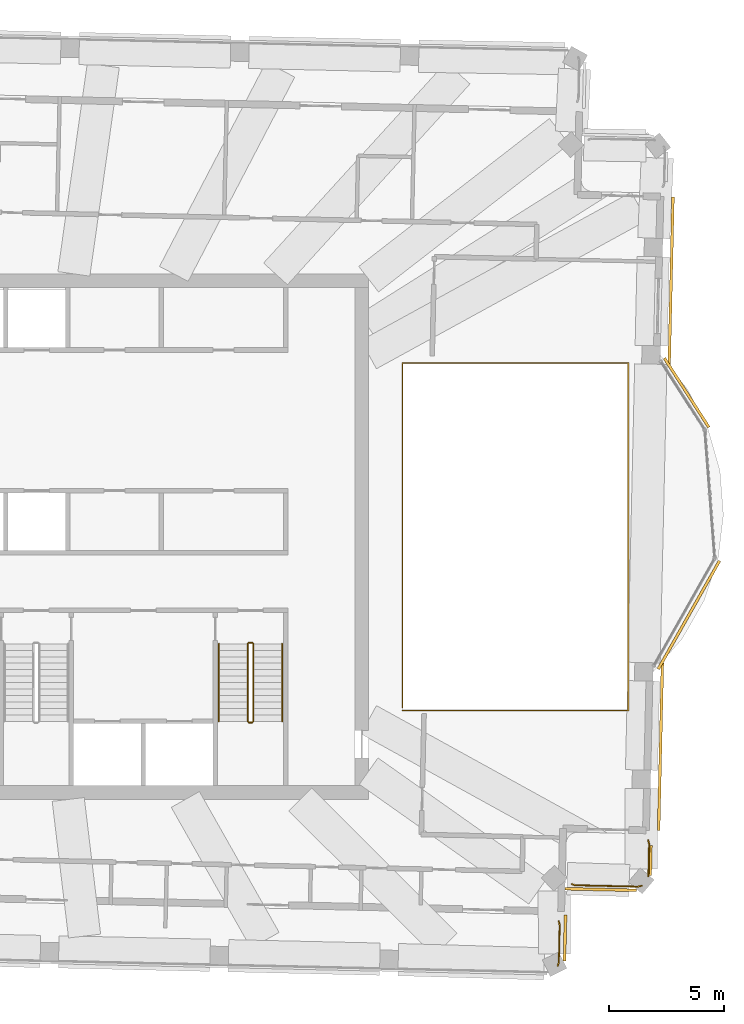
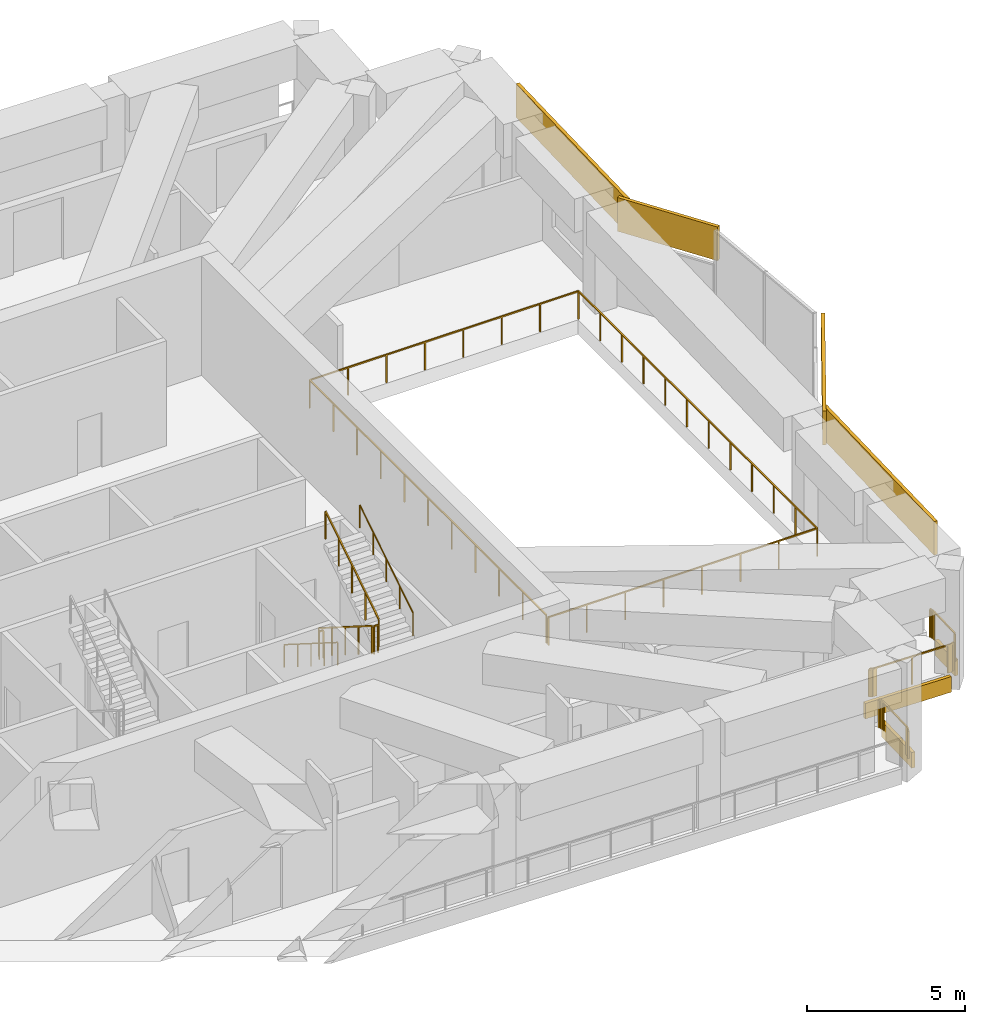
# One storey, part 17 of 19: 10 railings, 7 coverings.
"""IFC4 building model written with IfcOpenShell, lengths in metres."""

import ifcopenshell
import ifcopenshell.guid

model = None  # the IFC model being written
_history = None  # IfcOwnerHistory: only IFC2X3 demands one
_inside = {}  # id of a spatial element -> (the spatial element, [elements in it])
_under = {}  # id of a project, library or spatial element -> (it, [spatial elements below it])
_declared = {}  # id of a project -> (the project, [libraries it declares])
_typed = {}  # id of a type object -> (the type object, [elements of that type])
_made_of = {}  # id of a material, layer set ... -> (it, [elements and type objects made of it])


def new_model(schema):
    """Start an empty IFC model of exactly this schema.

    Asked for "IFC4X3", IfcOpenShell would pick the latest addendum, in which some entities
    have other attributes; the version numbers below select the first issue.
    IFC2X3 requires an IfcOwnerHistory on every rooted entity: one is made here for all.
    """
    global model, _history
    if schema == "IFC4X3":
        model = ifcopenshell.file(schema_version=(4, 3, 0, 0))
    else:
        model = ifcopenshell.file(schema=schema)
    _inside.clear()
    _under.clear()
    _declared.clear()
    _typed.clear()
    _made_of.clear()
    _history = None
    if model.schema == "IFC2X3":
        org = make("IfcOrganization", Name="unknown")
        user = make(
            "IfcPersonAndOrganization",
            ThePerson=make("IfcPerson", FamilyName="unknown"),
            TheOrganization=org,
        )
        app = make(
            "IfcApplication",
            ApplicationDeveloper=org,
            Version="unknown",
            ApplicationFullName="unknown",
            ApplicationIdentifier="unknown",
        )
        _history = make(
            "IfcOwnerHistory",
            OwningUser=user,
            OwningApplication=app,
            ChangeAction="ADDED",
            CreationDate=0,
        )
    return model


def make(cls, **values):
    """One entity of the class cls with the attributes given. An attribute that is None is left unset."""
    return model.create_entity(
        cls, **{name: value for name, value in values.items() if value is not None}
    )


def rooted(cls, **values):
    """An entity with a GlobalId (a new one), such as an element, a storey or a relation."""
    return make(cls, GlobalId=ifcopenshell.guid.new(), OwnerHistory=_history, **values)


def si_unit(unit_type, name, prefix=None):
    """IfcSIUnit, for example si_unit("LENGTHUNIT", "METRE", prefix="MILLI")."""
    return make("IfcSIUnit", UnitType=unit_type, Prefix=prefix, Name=name)


def assignment(units):
    """IfcUnitAssignment: the units of a project."""
    return None if units is None else make("IfcUnitAssignment", Units=units)


def point(xyz):
    """IfcCartesianPoint."""
    return None if xyz is None else make("IfcCartesianPoint", Coordinates=xyz)


def direction(xyz):
    """IfcDirection."""
    return None if xyz is None else make("IfcDirection", DirectionRatios=xyz)


def frame(location, z_axis=None, x_axis=None):
    """IfcAxis2Placement3D, a coordinate frame: its origin and axes. An axis left out is left unset."""
    return make(
        "IfcAxis2Placement3D",
        Location=point(location),
        Axis=direction(z_axis),
        RefDirection=direction(x_axis),
    )


def frame_2d(location, x_axis=None):
    """IfcAxis2Placement2D, a coordinate frame in the plane: its origin and x axis."""
    return make(
        "IfcAxis2Placement2D", Location=point(location), RefDirection=direction(x_axis)
    )


def origin():
    """The frame at (0, 0, 0) with its axes left unset."""
    return frame((0.0, 0.0, 0.0))


def origin_2d():
    """The frame at (0, 0) in the plane with its x axis left unset."""
    return frame_2d((0.0, 0.0))


def place(relative_to, where):
    """IfcLocalPlacement: puts the frame where relative to a parent placement (None: the world)."""
    return make(
        "IfcLocalPlacement", PlacementRelTo=relative_to, RelativePlacement=where
    )


def context(
    kind, dimensions, precision=None, world=None, true_north=None, identifier=None
):
    """IfcGeometricRepresentationContext, for example the 3D "Model" context."""
    return make(
        "IfcGeometricRepresentationContext",
        ContextIdentifier=identifier,
        ContextType=kind,
        CoordinateSpaceDimension=dimensions,
        Precision=precision,
        WorldCoordinateSystem=world,
        TrueNorth=true_north,
    )


def subcontext(parent, identifier, kind, view, scale=None):
    """IfcGeometricRepresentationSubContext, for example "Body" below "Model"."""
    return make(
        "IfcGeometricRepresentationSubContext",
        ContextIdentifier=identifier,
        ContextType=kind,
        ParentContext=parent,
        TargetScale=scale,
        TargetView=view,
    )


def project(units=None, contexts=None):
    """IfcProject with its units and contexts."""
    return rooted(
        "IfcProject",
        Name="project",
        RepresentationContexts=contexts,
        UnitsInContext=assignment(units),
    )


def spatial(cls, under=None, at=None, **own):
    """A site, building, storey or space (cls), placed at a placement, below another one or the project."""
    s = rooted(cls, ObjectPlacement=at, **own)
    if under is not None:
        _under.setdefault(under.id(), (under, []))[1].append(s)
    return s


def profile(cls, at=None, kind="AREA", **sizes):
    """A parametric profile (cls). Its sizes go by their IFC names, for example OverallWidth=200.0."""
    return make(cls, ProfileType=kind, Position=at, **sizes)


def rectangle(**sizes):
    """IfcRectangleProfileDef."""
    return profile("IfcRectangleProfileDef", **sizes)


def circle(**sizes):
    """IfcCircleProfileDef."""
    return profile("IfcCircleProfileDef", **sizes)


def extrude(swept, where, along, depth):
    """IfcExtrudedAreaSolid: the profile swept, set in the frame where, extruded along a direction by depth."""
    return make(
        "IfcExtrudedAreaSolid",
        SweptArea=swept,
        Position=where,
        ExtrudedDirection=direction(along),
        Depth=depth,
    )


def shape(context_of_items, identifier, shape_type, items):
    """IfcShapeRepresentation: the items that make up one representation, for example the "Body"."""
    return make(
        "IfcShapeRepresentation",
        ContextOfItems=context_of_items,
        RepresentationIdentifier=identifier,
        RepresentationType=shape_type,
        Items=items,
    )


def material(Name=None, Category=None):
    """IfcMaterial."""
    return make("IfcMaterial", Name=Name, Category=Category)


def layer(
    of_material, thickness, ventilated=None, Name=None, Category=None, Priority=None
):
    """IfcMaterialLayer: one layer of a wall or slab, of a material (None: an air gap)."""
    return make(
        "IfcMaterialLayer",
        Material=of_material,
        LayerThickness=thickness,
        IsVentilated=ventilated,
        Name=Name,
        Category=Category,
        Priority=Priority,
    )


def layer_set(layers, Name=None):
    """IfcMaterialLayerSet."""
    return make("IfcMaterialLayerSet", MaterialLayers=layers, LayerSetName=Name)


def made_of(thing, what):
    """Note that an element or type object is made of a material, layer set ...; save() writes the relation."""
    if what is not None:
        _made_of.setdefault(what.id(), (what, []))[1].append(thing)
    return thing


def type_object(cls, material=None, **own):
    """A type object (cls), such as IfcWallType, which elements share."""
    return made_of(rooted(cls, **own), material)


def element(
    cls,
    number,
    at=None,
    inside=None,
    cuts=None,
    type_object=None,
    material=None,
    context=None,
    identifier="Body",
    shape_type=None,
    held_by="IfcProductDefinitionShape",
    body=None,
    shapes=None,
    **own,
):
    """One element of the class cls, such as IfcWall. Its Tag is "e" and its number.

    at: its placement. inside: the storey or other place that contains it. cuts: it is an
    opening in that element (IfcRelVoidsElement). A single representation is given by context,
    identifier, shape_type and body (its items); several are given by shapes. held_by: the class
    of the entity that holds the representations. save() writes the other relations.
    """
    e = rooted(cls, Tag="e%d" % number, ObjectPlacement=at, **own)
    if body is not None:
        shapes = [shape(context, identifier, shape_type, body)]
    if shapes is not None:
        e.Representation = make(held_by, Representations=shapes)
    if inside is not None:
        _inside.setdefault(inside.id(), (inside, []))[1].append(e)
    if cuts is not None:
        rooted(
            "IfcRelVoidsElement", RelatingBuildingElement=cuts, RelatedOpeningElement=e
        )
    if type_object is not None:
        _typed.setdefault(type_object.id(), (type_object, []))[1].append(e)
    return made_of(e, material)


def aggregate(whole, parts):
    """IfcRelAggregates: a whole, such as a stair, and the parts it consists of."""
    return rooted("IfcRelAggregates", RelatingObject=whole, RelatedObjects=parts)


def save(model, path):
    """Write the relations noted so far, then the file.

    IfcRelAggregates (storeys below a building ...), IfcRelContainedInSpatialStructure (elements
    in a storey), IfcRelDefinesByType, IfcRelAssociatesMaterial and IfcRelDeclares: one each for
    every whole, place, type object, material and project.
    """
    for whole, parts in _under.values():
        aggregate(whole, parts)
    for where, things in _inside.values():
        rooted(
            "IfcRelContainedInSpatialStructure",
            RelatedElements=things,
            RelatingStructure=where,
        )
    for kind, things in _typed.values():
        rooted("IfcRelDefinesByType", RelatedObjects=things, RelatingType=kind)
    for what, things in _made_of.values():
        rooted("IfcRelAssociatesMaterial", RelatedObjects=things, RelatingMaterial=what)
    for by, libraries in _declared.values():
        rooted("IfcRelDeclares", RelatingContext=by, RelatedDefinitions=libraries)
    model.write(path)


model = new_model("IFC4")

# Units and contexts
model_context = context("Model", 3, precision=1e-05, world=origin(), true_north=direction((0.0, 1.0)))
body_context = subcontext(model_context, "Body", "Model", "MODEL_VIEW")
ifc_project = project(units=[si_unit("LENGTHUNIT", "METRE"), si_unit("AREAUNIT", "SQUARE_METRE"), si_unit("VOLUMEUNIT", "CUBIC_METRE"), si_unit("PLANEANGLEUNIT", "RADIAN"), si_unit("MASSUNIT", "GRAM", prefix="KILO")], contexts=[model_context])

# Site, building, storey
site_placement = place(None, origin())
site = spatial("IfcSite", under=ifc_project, at=site_placement, CompositionType="ELEMENT")
building_placement = place(site_placement, origin())
building = spatial("IfcBuilding", under=site, at=building_placement, Name="Mangrove Gate Tower", CompositionType="ELEMENT")
storey_placement = place(building_placement, frame((0.0, 0.0, 346.10009765625)))
storey = spatial("IfcBuildingStorey", under=building, at=storey_placement, Name="L88", CompositionType="ELEMENT", Elevation=346.10009765625)

# Railings
ifc_material_1 = material(Name="Stainless steel grade 316 with laminated glass infill", Category="steel")
railing_type_1 = type_object("IfcRailingType", Name="Balcony guard 1100", PredefinedType="GUARDRAIL", material=ifc_material_1)
railing_1_placement = place(storey_placement, frame((15.860107421875, -7.5400390625, 0.0)))
element("IfcRailing", 1, at=railing_1_placement, inside=storey, type_object=railing_type_1, Name="GUARD L88 atrium", PredefinedType="GUARDRAIL", context=body_context, shape_type="SweptSolid", body=[
    extrude(rectangle(XDim=0.048095703125, YDim=0.048095703125, at=origin_2d()), frame((0.0, 0.0, 1.076171875), z_axis=(1.0, 0.0, 0.0), x_axis=(0.0, 1.0, 0.0)), (0.0, 0.0, 1.0), 9.802978515625),
    extrude(rectangle(XDim=0.048095703125, YDim=0.048095703125, at=origin_2d()), frame((9.802978515625, 0.0, 1.076171875), z_axis=(0.0, 1.0, 0.0), x_axis=(-1.0, 0.0, 0.0)), (0.0, 0.0, 1.0), 15.080078125),
    extrude(rectangle(XDim=0.048095703125, YDim=0.048095703125, at=origin_2d()), frame((9.802978515625, 15.080078125, 1.076171875), z_axis=(-1.0, 0.0, 0.0), x_axis=(0.0, -1.0, 0.0)), (0.0, 0.0, 1.0), 9.802978515625),
    extrude(rectangle(XDim=0.048095703125, YDim=0.048095703125, at=origin_2d()), frame((0.0, 15.080078125, 1.076171875), z_axis=(0.0, -1.0, 0.0), x_axis=(1.0, 0.0, 0.0)), (0.0, 0.0, 1.0), 14.9599609375),
    extrude(rectangle(XDim=0.0419921875, YDim=0.0419921875, at=origin_2d()), origin(), (0.0, 0.0, 1.0), 1.052001953125),
    extrude(rectangle(XDim=0.0419921875, YDim=0.0419921875, at=origin_2d()), frame((1.400390625, 0.0, 0.0)), (0.0, 0.0, 1.0), 1.052001953125),
    extrude(rectangle(XDim=0.0419921875, YDim=0.0419921875, at=origin_2d()), frame((2.80078125, 0.0, 0.0)), (0.0, 0.0, 1.0), 1.052001953125),
    extrude(rectangle(XDim=0.0419921875, YDim=0.0419921875, at=origin_2d()), frame((4.201171875, 0.0, 0.0)), (0.0, 0.0, 1.0), 1.052001953125),
    extrude(rectangle(XDim=0.0419921875, YDim=0.0419921875, at=origin_2d()), frame((5.601806640625, 0.0, 0.0)), (0.0, 0.0, 1.0), 1.052001953125),
    extrude(rectangle(XDim=0.0419921875, YDim=0.0419921875, at=origin_2d()), frame((7.002197265625, 0.0, 0.0)), (0.0, 0.0, 1.0), 1.052001953125),
    extrude(rectangle(XDim=0.0419921875, YDim=0.0419921875, at=origin_2d()), frame((8.402587890625, 0.0, 0.0)), (0.0, 0.0, 1.0), 1.052001953125),
    extrude(rectangle(XDim=0.0419921875, YDim=0.0419921875, at=origin_2d()), frame((9.802978515625, 0.0, 0.0)), (0.0, 0.0, 1.0), 1.052001953125),
    extrude(rectangle(XDim=0.0419921875, YDim=0.0419921875, at=origin_2d()), frame((9.802978515625, 1.370849609375, 0.0)), (0.0, 0.0, 1.0), 1.052001953125),
    extrude(rectangle(XDim=0.0419921875, YDim=0.0419921875, at=origin_2d()), frame((9.802978515625, 2.741943359375, 0.0)), (0.0, 0.0, 1.0), 1.052001953125),
    extrude(rectangle(XDim=0.0419921875, YDim=0.0419921875, at=origin_2d()), frame((9.802978515625, 4.11279296875, 0.0)), (0.0, 0.0, 1.0), 1.052001953125),
    extrude(rectangle(XDim=0.0419921875, YDim=0.0419921875, at=origin_2d()), frame((9.802978515625, 5.483642578125, 0.0)), (0.0, 0.0, 1.0), 1.052001953125),
    extrude(rectangle(XDim=0.0419921875, YDim=0.0419921875, at=origin_2d()), frame((9.802978515625, 6.8544921875, 0.0)), (0.0, 0.0, 1.0), 1.052001953125),
    extrude(rectangle(XDim=0.0419921875, YDim=0.0419921875, at=origin_2d()), frame((9.802978515625, 8.2255859375, 0.0)), (0.0, 0.0, 1.0), 1.052001953125),
    extrude(rectangle(XDim=0.0419921875, YDim=0.0419921875, at=origin_2d()), frame((9.802978515625, 9.596435546875, 0.0)), (0.0, 0.0, 1.0), 1.052001953125),
    extrude(rectangle(XDim=0.0419921875, YDim=0.0419921875, at=origin_2d()), frame((9.802978515625, 10.96728515625, 0.0)), (0.0, 0.0, 1.0), 1.052001953125),
    extrude(rectangle(XDim=0.0419921875, YDim=0.0419921875, at=origin_2d()), frame((9.802978515625, 12.338134765625, 0.0)), (0.0, 0.0, 1.0), 1.052001953125),
    extrude(rectangle(XDim=0.0419921875, YDim=0.0419921875, at=origin_2d()), frame((9.802978515625, 13.709228515625, 0.0)), (0.0, 0.0, 1.0), 1.052001953125),
    extrude(rectangle(XDim=0.0419921875, YDim=0.0419921875, at=origin_2d()), frame((9.802978515625, 15.080078125, 0.0)), (0.0, 0.0, 1.0), 1.052001953125),
    extrude(rectangle(XDim=0.0419921875, YDim=0.0419921875, at=origin_2d()), frame((8.402587890625, 15.080078125, 0.0)), (0.0, 0.0, 1.0), 1.052001953125),
    extrude(rectangle(XDim=0.0419921875, YDim=0.0419921875, at=origin_2d()), frame((7.002197265625, 15.080078125, 0.0)), (0.0, 0.0, 1.0), 1.052001953125),
    extrude(rectangle(XDim=0.0419921875, YDim=0.0419921875, at=origin_2d()), frame((5.601806640625, 15.080078125, 0.0)), (0.0, 0.0, 1.0), 1.052001953125),
    extrude(rectangle(XDim=0.0419921875, YDim=0.0419921875, at=origin_2d()), frame((4.201171875, 15.080078125, 0.0)), (0.0, 0.0, 1.0), 1.052001953125),
    extrude(rectangle(XDim=0.0419921875, YDim=0.0419921875, at=origin_2d()), frame((2.80078125, 15.080078125, 0.0)), (0.0, 0.0, 1.0), 1.052001953125),
    extrude(rectangle(XDim=0.0419921875, YDim=0.0419921875, at=origin_2d()), frame((1.400390625, 15.080078125, 0.0)), (0.0, 0.0, 1.0), 1.052001953125),
    extrude(rectangle(XDim=0.0419921875, YDim=0.0419921875, at=origin_2d()), frame((0.0, 15.080078125, 0.0)), (0.0, 0.0, 1.0), 1.052001953125),
    extrude(rectangle(XDim=0.0419921875, YDim=0.0419921875, at=origin_2d()), frame((0.0, 13.583984375, 0.0)), (0.0, 0.0, 1.0), 1.052001953125),
    extrude(rectangle(XDim=0.0419921875, YDim=0.0419921875, at=origin_2d()), frame((0.0, 12.088134765625, 0.0)), (0.0, 0.0, 1.0), 1.052001953125),
    extrude(rectangle(XDim=0.0419921875, YDim=0.0419921875, at=origin_2d()), frame((0.0, 10.592041015625, 0.0)), (0.0, 0.0, 1.0), 1.052001953125),
    extrude(rectangle(XDim=0.0419921875, YDim=0.0419921875, at=origin_2d()), frame((0.0, 9.09619140625, 0.0)), (0.0, 0.0, 1.0), 1.052001953125),
    extrude(rectangle(XDim=0.0419921875, YDim=0.0419921875, at=origin_2d()), frame((0.0, 7.60009765625, 0.0)), (0.0, 0.0, 1.0), 1.052001953125),
    extrude(rectangle(XDim=0.0419921875, YDim=0.0419921875, at=origin_2d()), frame((0.0, 6.10400390625, 0.0)), (0.0, 0.0, 1.0), 1.052001953125),
    extrude(rectangle(XDim=0.0419921875, YDim=0.0419921875, at=origin_2d()), frame((0.0, 4.608154296875, 0.0)), (0.0, 0.0, 1.0), 1.052001953125),
    extrude(rectangle(XDim=0.0419921875, YDim=0.0419921875, at=origin_2d()), frame((0.0, 3.112060546875, 0.0)), (0.0, 0.0, 1.0), 1.052001953125),
    extrude(rectangle(XDim=0.0419921875, YDim=0.0419921875, at=origin_2d()), frame((0.0, 1.6162109375, 0.0)), (0.0, 0.0, 1.0), 1.052001953125),
    extrude(rectangle(XDim=0.0419921875, YDim=0.0419921875, at=origin_2d()), frame((0.0, 0.1201171875, 0.0)), (0.0, 0.0, 1.0), 1.052001953125),
])
railing_2_placement = place(storey_placement, frame((26.242919921875, -15.135986328125, 0.0)))
element("IfcRailing", 2, at=railing_2_placement, inside=storey, type_object=railing_type_1, Name="GUARD L88 T2.1", PredefinedType="GUARDRAIL", context=body_context, shape_type="SweptSolid", body=[
    extrude(rectangle(XDim=0.048095703125, YDim=0.048095703125, at=origin_2d()), frame((0.0, 0.0, 1.076171875), z_axis=(-0.920487144923, -0.390772844543, 0.0), x_axis=(0.390772844543, -0.920487144923, 0.0)), (0.0, 0.0, 1.0), 0.028076171875),
    extrude(rectangle(XDim=0.048095703125, YDim=0.048095703125, at=origin_2d()), frame((-0.02587890625, -0.010986328125, 1.076171875), z_axis=(-0.944091748578, -0.329682832837, 0.0), x_axis=(0.329682832837, -0.944091748578, 0.0)), (0.0, 0.0, 1.0), 0.048828125),
    extrude(rectangle(XDim=0.048095703125, YDim=0.048095703125, at=origin_2d()), frame((-0.072021484375, -0.027099609375, 1.076171875), z_axis=(-0.974642013371, -0.223769850009, 0.0), x_axis=(0.223769850009, -0.974642013371, 0.0)), (0.0, 0.0, 1.0), 0.049072265625),
    extrude(rectangle(XDim=0.048095703125, YDim=0.048095703125, at=origin_2d()), frame((-0.119873046875, -0.0380859375, 1.076171875), z_axis=(-0.992946793169, -0.118560811125, 0.0), x_axis=(0.118560811125, -0.992946793169, 0.0)), (0.0, 0.0, 1.0), 0.04931640625),
    extrude(rectangle(XDim=0.048095703125, YDim=0.048095703125, at=origin_2d()), frame((-0.1689453125, -0.0439453125, 1.076171875), z_axis=(-0.999802043895, -0.019896558087, 0.0), x_axis=(0.019896558087, -0.999802043895, 0.0)), (0.0, 0.0, 1.0), 0.049072265625),
    extrude(rectangle(XDim=0.048095703125, YDim=0.048095703125, at=origin_2d()), frame((-0.218017578125, -0.044921875, 1.076171875), z_axis=(-0.999743819631, 0.02263393711, 0.0), x_axis=(-0.02263393711, -0.999743819631, 0.0)), (0.0, 0.0, 1.0), 2.599609375),
    extrude(rectangle(XDim=0.048095703125, YDim=0.048095703125, at=origin_2d()), frame((-2.81689453125, 0.013916015625, 1.076171875), z_axis=(-0.997915006584, 0.064541766595, 0.0), x_axis=(-0.064541766595, -0.997915006584, 0.0)), (0.0, 0.0, 1.0), 0.049072265625),
    extrude(rectangle(XDim=0.048095703125, YDim=0.048095703125, at=origin_2d()), frame((-2.865966796875, 0.01708984375, 1.076171875), z_axis=(-0.983547166232, 0.180651520328, 0.0), x_axis=(-0.180651520328, -0.983547166232, 0.0)), (0.0, 0.0, 1.0), 0.048583984375),
    extrude(rectangle(XDim=0.048095703125, YDim=0.048095703125, at=origin_2d()), frame((-2.913818359375, 0.02587890625, 1.076171875), z_axis=(-0.964424097907, 0.26435990501, 0.0), x_axis=(-0.26435990501, -0.964424097907, 0.0)), (0.0, 0.0, 1.0), 0.0498046875),
    extrude(rectangle(XDim=0.048095703125, YDim=0.048095703125, at=origin_2d()), frame((-2.9619140625, 0.0390625, 1.076171875), z_axis=(-0.938768673644, 0.344548077029, 0.0), x_axis=(-0.344548077029, -0.938768673644, 0.0)), (0.0, 0.0, 1.0), 0.048828125),
    extrude(rectangle(XDim=0.048095703125, YDim=0.048095703125, at=origin_2d()), frame((-3.0078125, 0.055908203125, 1.076171875), z_axis=(-0.877895572914, 0.478852130681, 0.0), x_axis=(-0.478852130681, -0.877895572914, 0.0)), (0.0, 0.0, 1.0), 0.027587890625),
    extrude(rectangle(XDim=0.0419921875, YDim=0.0419921875, at=origin_2d()), origin(), (0.0, 0.0, 1.0), 1.052001953125),
    extrude(rectangle(XDim=0.0419921875, YDim=0.0419921875, at=origin_2d()), frame((-0.02587890625, -0.010986328125, 0.0)), (0.0, 0.0, 1.0), 1.052001953125),
    extrude(rectangle(XDim=0.0419921875, YDim=0.0419921875, at=origin_2d()), frame((-0.072021484375, -0.027099609375, 0.0)), (0.0, 0.0, 1.0), 1.052001953125),
    extrude(rectangle(XDim=0.0419921875, YDim=0.0419921875, at=origin_2d()), frame((-0.119873046875, -0.0380859375, 0.0)), (0.0, 0.0, 1.0), 1.052001953125),
    extrude(rectangle(XDim=0.0419921875, YDim=0.0419921875, at=origin_2d()), frame((-0.1689453125, -0.0439453125, 0.0)), (0.0, 0.0, 1.0), 1.052001953125),
    extrude(rectangle(XDim=0.0419921875, YDim=0.0419921875, at=origin_2d()), frame((-0.218017578125, -0.044921875, 0.0)), (0.0, 0.0, 1.0), 1.052001953125),
    extrude(rectangle(XDim=0.0419921875, YDim=0.0419921875, at=origin_2d()), frame((-1.517578125, -0.015625, 0.0)), (0.0, 0.0, 1.0), 1.052001953125),
    extrude(rectangle(XDim=0.0419921875, YDim=0.0419921875, at=origin_2d()), frame((-2.81689453125, 0.013916015625, 0.0)), (0.0, 0.0, 1.0), 1.052001953125),
    extrude(rectangle(XDim=0.0419921875, YDim=0.0419921875, at=origin_2d()), frame((-2.865966796875, 0.01708984375, 0.0)), (0.0, 0.0, 1.0), 1.052001953125),
    extrude(rectangle(XDim=0.0419921875, YDim=0.0419921875, at=origin_2d()), frame((-2.913818359375, 0.02587890625, 0.0)), (0.0, 0.0, 1.0), 1.052001953125),
    extrude(rectangle(XDim=0.0419921875, YDim=0.0419921875, at=origin_2d()), frame((-2.9619140625, 0.0390625, 0.0)), (0.0, 0.0, 1.0), 1.052001953125),
    extrude(rectangle(XDim=0.0419921875, YDim=0.0419921875, at=origin_2d()), frame((-3.0078125, 0.055908203125, 0.0)), (0.0, 0.0, 1.0), 1.052001953125),
    extrude(rectangle(XDim=0.0419921875, YDim=0.0419921875, at=origin_2d()), frame((-3.031982421875, 0.069091796875, 0.0)), (0.0, 0.0, 1.0), 1.052001953125),
])
railing_3_placement = place(storey_placement, frame((26.52099609375, -13.175048828125, 0.0)))
element("IfcRailing", 3, at=railing_3_placement, inside=storey, type_object=railing_type_1, Name="GUARD L88 T2.2", PredefinedType="GUARDRAIL", context=body_context, shape_type="SweptSolid", body=[
    extrude(rectangle(XDim=0.048095703125, YDim=0.048095703125, at=origin_2d()), frame((0.0, 0.0, 1.076171875), z_axis=(0.390772844543, -0.920487144923, 0.0), x_axis=(0.920487144923, 0.390772844543, 0.0)), (0.0, 0.0, 1.0), 0.028076171875),
    extrude(rectangle(XDim=0.048095703125, YDim=0.048095703125, at=origin_2d()), frame((0.010986328125, -0.02587890625, 1.076171875), z_axis=(0.329682832837, -0.944091748578, 0.0), x_axis=(0.944091748578, 0.329682832837, 0.0)), (0.0, 0.0, 1.0), 0.048828125),
    extrude(rectangle(XDim=0.048095703125, YDim=0.048095703125, at=origin_2d()), frame((0.027099609375, -0.072021484375, 1.076171875), z_axis=(0.223769850009, -0.974642013371, 0.0), x_axis=(0.974642013371, 0.223769850009, 0.0)), (0.0, 0.0, 1.0), 0.049072265625),
    extrude(rectangle(XDim=0.048095703125, YDim=0.048095703125, at=origin_2d()), frame((0.0380859375, -0.119873046875, 1.076171875), z_axis=(0.118560811125, -0.992946793169, 0.0), x_axis=(0.992946793169, 0.118560811125, 0.0)), (0.0, 0.0, 1.0), 0.04931640625),
    extrude(rectangle(XDim=0.048095703125, YDim=0.048095703125, at=origin_2d()), frame((0.0439453125, -0.1689453125, 1.076171875), z_axis=(0.019896558087, -0.999802043895, 0.0), x_axis=(0.999802043895, 0.019896558087, 0.0)), (0.0, 0.0, 1.0), 0.049072265625),
    extrude(rectangle(XDim=0.048095703125, YDim=0.048095703125, at=origin_2d()), frame((0.044921875, -0.218017578125, 1.076171875), z_axis=(-0.023092431946, -0.999733334238, 0.0), x_axis=(0.999733334238, -0.023092431946, 0.0)), (0.0, 0.0, 1.0), 1.30029296875),
    extrude(rectangle(XDim=0.048095703125, YDim=0.048095703125, at=origin_2d()), frame((0.014892578125, -1.51806640625, 1.076171875), z_axis=(-0.06111006328, -0.998131033565, 0.0), x_axis=(0.998131033565, -0.06111006328, 0.0)), (0.0, 0.0, 1.0), 0.0478515625),
    extrude(rectangle(XDim=0.0419921875, YDim=0.0419921875, at=origin_2d()), origin(), (0.0, 0.0, 1.0), 1.052001953125),
    extrude(rectangle(XDim=0.0419921875, YDim=0.0419921875, at=origin_2d()), frame((0.010986328125, -0.02587890625, 0.0)), (0.0, 0.0, 1.0), 1.052001953125),
    extrude(rectangle(XDim=0.0419921875, YDim=0.0419921875, at=origin_2d()), frame((0.027099609375, -0.072021484375, 0.0)), (0.0, 0.0, 1.0), 1.052001953125),
    extrude(rectangle(XDim=0.0419921875, YDim=0.0419921875, at=origin_2d()), frame((0.0380859375, -0.119873046875, 0.0)), (0.0, 0.0, 1.0), 1.052001953125),
    extrude(rectangle(XDim=0.0419921875, YDim=0.0419921875, at=origin_2d()), frame((0.0439453125, -0.1689453125, 0.0)), (0.0, 0.0, 1.0), 1.052001953125),
    extrude(rectangle(XDim=0.0419921875, YDim=0.0419921875, at=origin_2d()), frame((0.044921875, -0.218017578125, 0.0)), (0.0, 0.0, 1.0), 1.052001953125),
    extrude(rectangle(XDim=0.0419921875, YDim=0.0419921875, at=origin_2d()), frame((0.014892578125, -1.51806640625, 0.0)), (0.0, 0.0, 1.0), 1.052001953125),
    extrude(rectangle(XDim=0.0419921875, YDim=0.0419921875, at=origin_2d()), frame((0.011962890625, -1.56591796875, 0.0)), (0.0, 0.0, 1.0), 1.052001953125),
])
railing_4_placement = place(storey_placement, frame((22.639892578125, -16.68798828125, 0.0)))
element("IfcRailing", 4, at=railing_4_placement, inside=storey, type_object=railing_type_1, Name="GUARD L88 T3.5", PredefinedType="GUARDRAIL", context=body_context, shape_type="SweptSolid", body=[
    extrude(rectangle(XDim=0.048095703125, YDim=0.048095703125, at=origin_2d()), frame((0.0, 0.0, 1.076171875), z_axis=(0.423348930736, -0.905966711775, 0.0), x_axis=(0.905966711775, 0.423348930736, 0.0)), (0.0, 0.0, 1.0), 0.02880859375),
    extrude(rectangle(XDim=0.048095703125, YDim=0.048095703125, at=origin_2d()), frame((0.01220703125, -0.026123046875, 1.076171875), z_axis=(0.308628423681, -0.95118268282, 0.0), x_axis=(0.95118268282, 0.308628423681, 0.0)), (0.0, 0.0, 1.0), 0.04833984375),
    extrude(rectangle(XDim=0.048095703125, YDim=0.048095703125, at=origin_2d()), frame((0.027099609375, -0.072021484375, 1.076171875), z_axis=(0.222690428814, -0.974889210585, 0.0), x_axis=(0.974889210585, 0.222690428814, 0.0)), (0.0, 0.0, 1.0), 0.04931640625),
    extrude(rectangle(XDim=0.048095703125, YDim=0.048095703125, at=origin_2d()), frame((0.0380859375, -0.1201171875, 1.076171875), z_axis=(0.124034734589, -0.992277876714, 0.0), x_axis=(0.992277876714, 0.124034734589, 0.0)), (0.0, 0.0, 1.0), 0.04931640625),
    extrude(rectangle(XDim=0.048095703125, YDim=0.048095703125, at=origin_2d()), frame((0.044189453125, -0.1689453125, 1.076171875), z_axis=(0.019896558087, -0.999802043895, 0.0), x_axis=(0.999802043895, 0.019896558087, 0.0)), (0.0, 0.0, 1.0), 0.049072265625),
    extrude(rectangle(XDim=0.048095703125, YDim=0.048095703125, at=origin_2d()), frame((0.045166015625, -0.218017578125, 1.076171875), z_axis=(-0.02279537805, -0.999740151609, 0.0), x_axis=(0.999740151609, -0.02279537805, 0.0)), (0.0, 0.0, 1.0), 1.49951171875),
    extrude(rectangle(XDim=0.048095703125, YDim=0.048095703125, at=origin_2d()), frame((0.010986328125, -1.717041015625, 1.076171875), z_axis=(-0.059595380047, -0.998222615791, 0.0), x_axis=(0.998222615791, -0.059595380047, 0.0)), (0.0, 0.0, 1.0), 0.049072265625),
    extrude(rectangle(XDim=0.048095703125, YDim=0.048095703125, at=origin_2d()), frame((0.008056640625, -1.76611328125, 1.076171875), z_axis=(-0.181913199611, -0.983314592492, 0.0), x_axis=(0.983314592492, -0.181913199611, 0.0)), (0.0, 0.0, 1.0), 0.049560546875),
    extrude(rectangle(XDim=0.048095703125, YDim=0.048095703125, at=origin_2d()), frame((-0.0009765625, -1.81494140625, 1.076171875), z_axis=(-0.264808083684, -0.964301134924, 0.0), x_axis=(0.964301134924, -0.264808083684, 0.0)), (0.0, 0.0, 1.0), 0.048828125),
    extrude(rectangle(XDim=0.048095703125, YDim=0.048095703125, at=origin_2d()), frame((-0.013916015625, -1.862060546875, 1.076171875), z_axis=(-0.348937359118, -0.937146050203, 0.0), x_axis=(0.937146050203, -0.348937359118, 0.0)), (0.0, 0.0, 1.0), 0.049072265625),
    extrude(rectangle(XDim=0.048095703125, YDim=0.048095703125, at=origin_2d()), frame((-0.031005859375, -1.907958984375, 1.076171875), z_axis=(-0.457543063646, -0.889187463311, 0.0), x_axis=(0.889187463311, -0.457543063646, 0.0)), (0.0, 0.0, 1.0), 0.0283203125),
    extrude(rectangle(XDim=0.0419921875, YDim=0.0419921875, at=origin_2d()), origin(), (0.0, 0.0, 1.0), 1.052001953125),
    extrude(rectangle(XDim=0.0419921875, YDim=0.0419921875, at=origin_2d()), frame((0.01220703125, -0.026123046875, 0.0)), (0.0, 0.0, 1.0), 1.052001953125),
    extrude(rectangle(XDim=0.0419921875, YDim=0.0419921875, at=origin_2d()), frame((0.027099609375, -0.072021484375, 0.0)), (0.0, 0.0, 1.0), 1.052001953125),
    extrude(rectangle(XDim=0.0419921875, YDim=0.0419921875, at=origin_2d()), frame((0.0380859375, -0.1201171875, 0.0)), (0.0, 0.0, 1.0), 1.052001953125),
    extrude(rectangle(XDim=0.0419921875, YDim=0.0419921875, at=origin_2d()), frame((0.044189453125, -0.1689453125, 0.0)), (0.0, 0.0, 1.0), 1.052001953125),
    extrude(rectangle(XDim=0.0419921875, YDim=0.0419921875, at=origin_2d()), frame((0.045166015625, -0.218017578125, 0.0)), (0.0, 0.0, 1.0), 1.052001953125),
    extrude(rectangle(XDim=0.0419921875, YDim=0.0419921875, at=origin_2d()), frame((0.010986328125, -1.717041015625, 0.0)), (0.0, 0.0, 1.0), 1.052001953125),
    extrude(rectangle(XDim=0.0419921875, YDim=0.0419921875, at=origin_2d()), frame((0.008056640625, -1.76611328125, 0.0)), (0.0, 0.0, 1.0), 1.052001953125),
    extrude(rectangle(XDim=0.0419921875, YDim=0.0419921875, at=origin_2d()), frame((-0.0009765625, -1.81494140625, 0.0)), (0.0, 0.0, 1.0), 1.052001953125),
    extrude(rectangle(XDim=0.0419921875, YDim=0.0419921875, at=origin_2d()), frame((-0.013916015625, -1.862060546875, 0.0)), (0.0, 0.0, 1.0), 1.052001953125),
    extrude(rectangle(XDim=0.0419921875, YDim=0.0419921875, at=origin_2d()), frame((-0.031005859375, -1.907958984375, 0.0)), (0.0, 0.0, 1.0), 1.052001953125),
    extrude(rectangle(XDim=0.0419921875, YDim=0.0419921875, at=origin_2d()), frame((-0.0439453125, -1.93310546875, 0.0)), (0.0, 0.0, 1.0), 1.052001953125),
])
ifc_material_2 = material(Name="Stainless steel 316", Category="steel")
railing_type_2 = type_object("IfcRailingType", Name="Core stair guard 1100", PredefinedType="GUARDRAIL", material=ifc_material_2)
railing_5_placement = place(storey_placement, frame((9.14990234375, -4.64990234375, 0.1767578125)))
element("IfcRailing", 5, at=railing_5_placement, inside=storey, type_object=railing_type_2, Name="L88 ST3 stair guard 1", PredefinedType="GUARDRAIL", context=body_context, shape_type="SweptSolid", body=[
    extrude(rectangle(XDim=0.048095703125, YDim=0.048095703125, at=origin_2d()), frame((0.0, 0.0, 1.076171875), z_axis=(0.0, -0.845389635667, 0.534150132366), x_axis=(1.0, 0.0, 0.0)), (0.0, 0.0, 1.0), 3.974609375),
    extrude(rectangle(XDim=0.0419921875, YDim=0.0419921875, at=origin_2d()), origin(), (0.0, 0.0, 1.0), 1.052001953125),
    extrude(rectangle(XDim=0.0419921875, YDim=0.0419921875, at=origin_2d()), frame((0.0, -0.840087890625, 0.53076171875)), (0.0, 0.0, 1.0), 1.052001953125),
    extrude(rectangle(XDim=0.0419921875, YDim=0.0419921875, at=origin_2d()), frame((0.0, -1.68017578125, 1.0615234375)), (0.0, 0.0, 1.0), 1.052001953125),
    extrude(rectangle(XDim=0.0419921875, YDim=0.0419921875, at=origin_2d()), frame((0.0, -2.52001953125, 1.59228515625)), (0.0, 0.0, 1.0), 1.052001953125),
    extrude(rectangle(XDim=0.0419921875, YDim=0.0419921875, at=origin_2d()), frame((0.0, -3.360107421875, 2.123046875)), (0.0, 0.0, 1.0), 1.052001953125),
])
railing_6_placement = place(storey_placement, frame((9.199951171875, -8.06005859375, 2.2998046875)))
element("IfcRailing", 6, at=railing_6_placement, inside=storey, type_object=railing_type_2, Name="L88 ST3 stair guard 2", PredefinedType="GUARDRAIL", context=body_context, shape_type="SweptSolid", body=[
    extrude(rectangle(XDim=0.048095703125, YDim=0.048095703125, at=origin_2d()), frame((0.0, 0.0, 1.076171875), z_axis=(1.0, 0.0, 0.0), x_axis=(0.0, 1.0, 0.0)), (0.0, 0.0, 1.0), 0.150146484375),
    extrude(rectangle(XDim=0.0419921875, YDim=0.0419921875, at=origin_2d()), origin(), (0.0, 0.0, 1.0), 1.052001953125),
    extrude(rectangle(XDim=0.0419921875, YDim=0.0419921875, at=origin_2d()), frame((0.150146484375, 0.0, 0.0)), (0.0, 0.0, 1.0), 1.052001953125),
])
railing_7_placement = place(storey_placement, frame((9.39990234375, -8.010009765625, 2.476806640625)))
element("IfcRailing", 7, at=railing_7_placement, inside=storey, type_object=railing_type_2, Name="L88 ST3 stair guard 3", PredefinedType="GUARDRAIL", context=body_context, shape_type="SweptSolid", body=[
    extrude(rectangle(XDim=0.048095703125, YDim=0.048095703125, at=origin_2d()), frame((0.0, 0.0, 1.076171875), z_axis=(0.0, 0.845389635667, 0.534150132366), x_axis=(-1.0, 0.0, 0.0)), (0.0, 0.0, 1.0), 3.974609375),
    extrude(rectangle(XDim=0.0419921875, YDim=0.0419921875, at=origin_2d()), origin(), (0.0, 0.0, 1.0), 1.052001953125),
    extrude(rectangle(XDim=0.0419921875, YDim=0.0419921875, at=origin_2d()), frame((0.0, 0.840087890625, 0.53076171875)), (0.0, 0.0, 1.0), 1.052001953125),
    extrude(rectangle(XDim=0.0419921875, YDim=0.0419921875, at=origin_2d()), frame((0.0, 1.68017578125, 1.0615234375)), (0.0, 0.0, 1.0), 1.052001953125),
    extrude(rectangle(XDim=0.0419921875, YDim=0.0419921875, at=origin_2d()), frame((0.0, 2.52001953125, 1.59228515625)), (0.0, 0.0, 1.0), 1.052001953125),
    extrude(rectangle(XDim=0.0419921875, YDim=0.0419921875, at=origin_2d()), frame((0.0, 3.360107421875, 2.123046875)), (0.0, 0.0, 1.0), 1.052001953125),
])
railing_8_placement = place(storey_placement, frame((9.199951171875, -4.60009765625, 0.0)))
element("IfcRailing", 8, at=railing_8_placement, inside=storey, type_object=railing_type_2, Name="L88 ST3 stair guard 4", PredefinedType="GUARDRAIL", context=body_context, shape_type="SweptSolid", body=[
    extrude(rectangle(XDim=0.048095703125, YDim=0.048095703125, at=origin_2d()), frame((0.0, 0.0, 1.076171875), z_axis=(1.0, 0.0, 0.0), x_axis=(0.0, 1.0, 0.0)), (0.0, 0.0, 1.0), 0.150146484375),
    extrude(rectangle(XDim=0.0419921875, YDim=0.0419921875, at=origin_2d()), origin(), (0.0, 0.0, 1.0), 1.052001953125),
    extrude(rectangle(XDim=0.0419921875, YDim=0.0419921875, at=origin_2d()), frame((0.150146484375, 0.0, 0.0)), (0.0, 0.0, 1.0), 1.052001953125),
])
ifc_material_3 = material(Name="Stainless steel 316", Category="steel")
railing_type_3 = type_object("IfcRailingType", Name="Core stair handrail 900", PredefinedType="HANDRAIL", material=ifc_material_3)
railing_9_placement = place(storey_placement, frame((7.89990234375, -4.64990234375, 0.1767578125)))
element("IfcRailing", 9, at=railing_9_placement, inside=storey, type_object=railing_type_3, Name="L88 ST3 stair handrail 1", PredefinedType="HANDRAIL", context=body_context, shape_type="SweptSolid", body=[
    extrude(circle(Radius=0.02392578125, at=origin_2d()), frame((0.0, 0.0, 0.8759765625), z_axis=(0.0, -0.845389635667, 0.534150132366), x_axis=(1.0, 0.0, 0.0)), (0.0, 0.0, 1.0), 3.974609375),
    extrude(circle(Radius=0.02099609375, at=origin_2d()), origin(), (0.0, 0.0, 1.0), 0.851806640625),
    extrude(circle(Radius=0.02099609375, at=origin_2d()), frame((0.0, -0.840087890625, 0.53076171875)), (0.0, 0.0, 1.0), 0.851806640625),
    extrude(circle(Radius=0.02099609375, at=origin_2d()), frame((0.0, -1.68017578125, 1.0615234375)), (0.0, 0.0, 1.0), 0.851806640625),
    extrude(circle(Radius=0.02099609375, at=origin_2d()), frame((0.0, -2.52001953125, 1.59228515625)), (0.0, 0.0, 1.0), 0.851806640625),
    extrude(circle(Radius=0.02099609375, at=origin_2d()), frame((0.0, -3.360107421875, 2.123046875)), (0.0, 0.0, 1.0), 0.851806640625),
])
railing_10_placement = place(storey_placement, frame((10.64990234375, -8.010009765625, 2.476806640625)))
element("IfcRailing", 10, at=railing_10_placement, inside=storey, type_object=railing_type_3, Name="L88 ST3 stair handrail 2", PredefinedType="HANDRAIL", context=body_context, shape_type="SweptSolid", body=[
    extrude(circle(Radius=0.02392578125, at=origin_2d()), frame((0.0, 0.0, 0.8759765625), z_axis=(0.0, 0.845389635667, 0.534150132366), x_axis=(-1.0, 0.0, 0.0)), (0.0, 0.0, 1.0), 3.974609375),
    extrude(circle(Radius=0.02099609375, at=origin_2d()), origin(), (0.0, 0.0, 1.0), 0.851806640625),
    extrude(circle(Radius=0.02099609375, at=origin_2d()), frame((0.0, 0.840087890625, 0.53076171875)), (0.0, 0.0, 1.0), 0.851806640625),
    extrude(circle(Radius=0.02099609375, at=origin_2d()), frame((0.0, 1.68017578125, 1.0615234375)), (0.0, 0.0, 1.0), 0.851806640625),
    extrude(circle(Radius=0.02099609375, at=origin_2d()), frame((0.0, 2.52001953125, 1.59228515625)), (0.0, 0.0, 1.0), 0.851806640625),
    extrude(circle(Radius=0.02099609375, at=origin_2d()), frame((0.0, 3.360107421875, 2.123046875)), (0.0, 0.0, 1.0), 0.851806640625),
])

# Coverings
ifc_material_4 = material(Name="Limestone", Category="masonry")
ifc_layer_1 = layer(ifc_material_4, 0.0400390625, Name="Limestone cladding")
ifc_material_5 = material(Name="Stainless steel anchors and cavity", Category="steel")
ifc_layer_2 = layer(ifc_material_5, 0.080078125, Name="Fixing cavity")
ifc_layer_set = layer_set([ifc_layer_1, ifc_layer_2], Name="Joint fascia cladding 120")
covering_type = type_object("IfcCoveringType", Name="Joint fascia cladding 120", PredefinedType="CLADDING", material=ifc_layer_set)
covering_1_placement = place(storey_placement, frame((26.97900390625, -12.751953125, 2.75), z_axis=(0.0, 0.0, 1.0), x_axis=(0.022686338341, 0.999742631907, 0.0)))
element("IfcCovering", 11, at=covering_1_placement, inside=storey, type_object=covering_type, Name="STONE FASCIA L88 E0.1", PredefinedType="CLADDING", context=body_context, shape_type="SweptSolid", body=[
    extrude(rectangle(XDim=7.27490234375, YDim=0.1201171875, at=frame_2d((3.637451171875, 0.0))), origin(), (0.0, 0.0, 1.0), 1.2998046875),
])
covering_2_placement = place(storey_placement, frame((26.962890625, -5.743896484375, 2.75), z_axis=(0.0, 0.0, 1.0), x_axis=(0.492686123769, 0.870207092275, 0.0)))
element("IfcCovering", 12, at=covering_2_placement, inside=storey, type_object=covering_type, Name="STONE FASCIA L88 E1.L1", PredefinedType="CLADDING", context=body_context, shape_type="SweptSolid", body=[
    extrude(rectangle(XDim=5.397216796875, YDim=0.1201171875, at=frame_2d((2.69873046875, 0.0))), origin(), (0.0, 0.0, 1.0), 1.2998046875),
])
covering_3_placement = place(storey_placement, frame((29.158935546875, 4.742919921875, 2.75), z_axis=(0.0, 0.0, 1.0), x_axis=(-0.540553562828, 0.841309601582, 0.0)))
element("IfcCovering", 13, at=covering_3_placement, inside=storey, type_object=covering_type, Name="STONE FASCIA L88 E1.L2", PredefinedType="CLADDING", context=body_context, shape_type="SweptSolid", body=[
    extrude(rectangle(XDim=3.568359375, YDim=0.1201171875, at=frame_2d((1.7841796875, 0.0))), origin(), (0.0, 0.0, 1.0), 1.2998046875),
])
covering_4_placement = place(storey_placement, frame((27.43798828125, 7.468017578125, 2.75), z_axis=(0.0, 0.0, 1.0), x_axis=(0.022686338341, 0.999742631907, 0.0)))
element("IfcCovering", 14, at=covering_4_placement, inside=storey, type_object=covering_type, Name="STONE FASCIA L88 E2.1", PredefinedType="CLADDING", context=body_context, shape_type="SweptSolid", body=[
    extrude(rectangle(XDim=7.27490234375, YDim=0.1201171875, at=frame_2d((3.637451171875, 0.0))), origin(), (0.0, 0.0, 1.0), 1.2998046875),
])
covering_5_placement = place(storey_placement, frame((26.02197265625, -15.343017578125, -0.60009765625), z_axis=(0.0, 0.0, 1.0), x_axis=(-0.999742810293, 0.022678475848, 0.0)))
element("IfcCovering", 15, at=covering_5_placement, inside=storey, type_object=covering_type, Name="STONE FASCIA L88 Tcrown12-1.1", PredefinedType="CLADDING", context=body_context, shape_type="SweptSolid", body=[
    extrude(rectangle(XDim=3.100341796875, YDim=0.1201171875, at=frame_2d((1.55029296875, 0.0))), origin(), (0.0, 0.0, 1.0), 0.60009765625),
])
covering_6_placement = place(storey_placement, frame((26.64404296875, -13.39501953125, -0.60009765625), z_axis=(0.0, 0.0, 1.0), x_axis=(-0.022358626526, -0.999750014664, 0.0)))
element("IfcCovering", 16, at=covering_6_placement, inside=storey, type_object=covering_type, Name="STONE FASCIA L88 Tcrown12-2.1", PredefinedType="CLADDING", context=body_context, shape_type="SweptSolid", body=[
    extrude(rectangle(XDim=1.29931640625, YDim=0.1201171875, at=frame_2d((0.649658203125, 0.0))), origin(), (0.0, 0.0, 1.0), 0.60009765625),
])
covering_7_placement = place(storey_placement, frame((22.9404296875, -16.411376953125, -0.60009765625), z_axis=(0.0, 0.0, 1.0), x_axis=(-0.022704768219, -0.999742213523, 0.0)))
element("IfcCovering", 17, at=covering_7_placement, inside=storey, type_object=covering_type, Name="STONE FASCIA L88 Tcrown13-5.1", PredefinedType="CLADDING", context=body_context, shape_type="SweptSolid", body=[
    extrude(rectangle(XDim=2.0, YDim=0.1201171875, at=frame_2d((1.0, 0.0))), origin(), (0.0, 0.0, 1.0), 0.60009765625),
])

save(model, "model.ifc")
